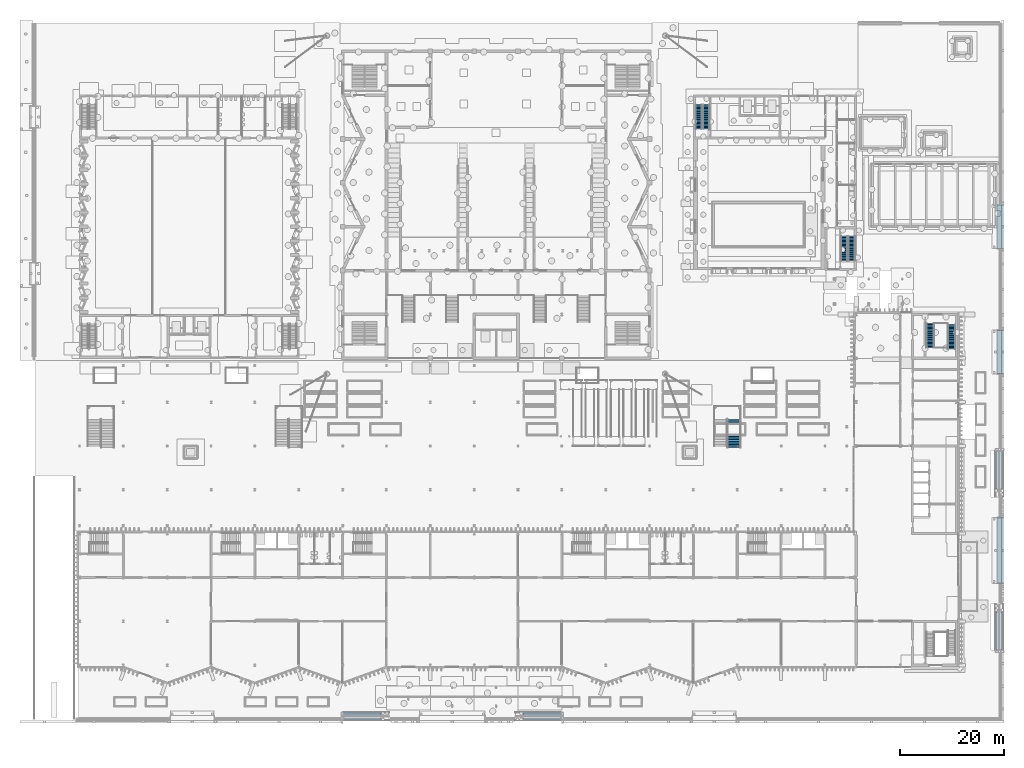
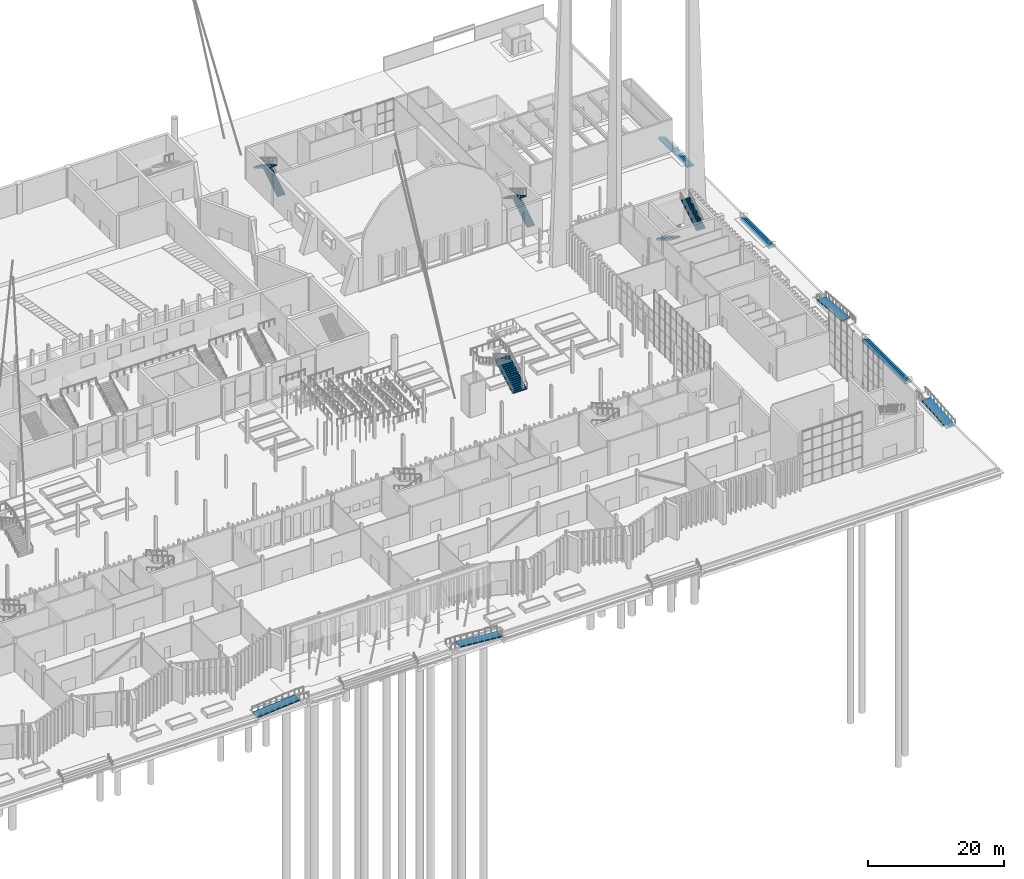
# One storey, part 80 of 108: 10 stair flights, 4 ramp flights, 11 elements without a shape of their own.
"""IFC4 building model written with IfcOpenShell, lengths in metres."""

from ifc_helpers import new_model, si_unit, direction, frame, origin, place, context, subcontext, project, spatial, polyline, outline, extrude, material, layer, layer_set, type_object, element, aggregate, save


model = new_model("IFC4")

# Units and contexts
model_context = context("Model", 3, precision=1e-05, world=origin(), true_north=direction((0.0, 1.0)))
body_context = subcontext(model_context, "Body", "Model", "MODEL_VIEW")
ifc_project = project(units=[si_unit("LENGTHUNIT", "METRE"), si_unit("AREAUNIT", "SQUARE_METRE"), si_unit("VOLUMEUNIT", "CUBIC_METRE"), si_unit("PLANEANGLEUNIT", "RADIAN"), si_unit("MASSUNIT", "GRAM", prefix="KILO")], contexts=[model_context])

# Site, building, storey
site_placement = place(None, origin())
site = spatial("IfcSite", under=ifc_project, at=site_placement, CompositionType="ELEMENT")
building_placement = place(site_placement, origin())
building = spatial("IfcBuilding", under=site, at=building_placement, Name="Cresset Court Congress Hotel", CompositionType="ELEMENT")
storey_placement = place(building_placement, origin())
storey = spatial("IfcBuildingStorey", under=building, at=storey_placement, Name="L00", CompositionType="ELEMENT", Elevation=0.0)

# Stair, stair flights
ifc_material_1 = material(Name="Concrete C40", Category="concrete")
stair_type_1 = type_object("IfcStairType", Name="Concrete dog-leg stair 5600", PredefinedType="HALF_TURN_STAIR", material=ifc_material_1)
stair_1_placement = place(storey_placement, origin())
stair_1 = element("IfcStair", 1, at=stair_1_placement, inside=storey, type_object=stair_type_1, Name="Stair A2 L00", PredefinedType="HALF_TURN_STAIR")
ifc_material_2 = material(Name="Concrete C40", Category="concrete")
stair_flight_type_1 = type_object("IfcStairFlightType", Name="Concrete stair flight", PredefinedType="STRAIGHT", material=ifc_material_2)
stair_flight_1_placement = place(storey_placement, frame((171.35009765625, 65.5, 0.0), z_axis=(0.0, 0.0, 1.0), x_axis=(0.0, -1.0, 0.0)))
stair_flight_1 = element("IfcStairFlight", 2, at=stair_flight_1_placement, type_object=stair_flight_type_1, Name="A-ST1 flight 1", NumberOfRisers=19, NumberOfTreads=18, PredefinedType="STRAIGHT", RiserHeight=0.157894737, TreadLength=0.26, context=body_context, shape_type="SweptSolid", body=[
    extrude(outline(polyline([(0.0, 0.0), (0.0, 0.157958984375), (0.260009765625, 0.157958984375), (0.260009765625, 0.315673828125), (0.52001953125, 0.315673828125), (0.52001953125, 0.4736328125), (0.780029296875, 0.4736328125), (0.780029296875, 0.631591796875), (1.0400390625, 0.631591796875), (1.0400390625, 0.78955078125), (1.300048828125, 0.78955078125), (1.300048828125, 0.947265625), (1.56005859375, 0.947265625), (1.56005859375, 1.105224609375), (1.820068359375, 1.105224609375), (1.820068359375, 1.26318359375), (2.080078125, 1.26318359375), (2.080078125, 1.421142578125), (2.340087890625, 1.421142578125), (2.340087890625, 1.578857421875), (2.60009765625, 1.578857421875), (2.60009765625, 1.73681640625), (2.860107421875, 1.73681640625), (2.860107421875, 1.894775390625), (3.1201171875, 1.894775390625), (3.1201171875, 2.052734375), (3.3798828125, 2.052734375), (3.3798828125, 2.21044921875), (3.639892578125, 2.21044921875), (3.639892578125, 2.368408203125), (3.89990234375, 2.368408203125), (3.89990234375, 2.5263671875), (4.159912109375, 2.5263671875), (4.159912109375, 2.684326171875), (4.419921875, 2.684326171875), (4.419921875, 2.842041015625), (4.679931640625, 2.842041015625), (4.679931640625, 3.0), (4.679931640625, 2.666748046875), (0.288818359375, 0.0), (0.0, 0.0)])), frame((0.0, 0.75, 0.0), z_axis=(0.0, -1.0, 0.0), x_axis=(1.0, 0.0, 0.0)), (0.0, 0.0, 1.0), 1.5),
])
stair_flight_2_placement = place(storey_placement, frame((175.449951171875, 60.56005859375, 3.0), z_axis=(0.0, 0.0, 1.0), x_axis=(0.0, 1.0, 0.0)))
stair_flight_2 = element("IfcStairFlight", 3, at=stair_flight_2_placement, type_object=stair_flight_type_1, Name="A-ST1 flight 2", NumberOfRisers=19, NumberOfTreads=18, PredefinedType="STRAIGHT", RiserHeight=0.157894737, TreadLength=0.26, context=body_context, shape_type="SweptSolid", body=[
    extrude(outline(polyline([(0.0, 0.0), (0.0, 0.157958984375), (0.260009765625, 0.157958984375), (0.260009765625, 0.315673828125), (0.52001953125, 0.315673828125), (0.52001953125, 0.4736328125), (0.780029296875, 0.4736328125), (0.780029296875, 0.631591796875), (1.0400390625, 0.631591796875), (1.0400390625, 0.78955078125), (1.300048828125, 0.78955078125), (1.300048828125, 0.947265625), (1.56005859375, 0.947265625), (1.56005859375, 1.105224609375), (1.820068359375, 1.105224609375), (1.820068359375, 1.26318359375), (2.080078125, 1.26318359375), (2.080078125, 1.421142578125), (2.340087890625, 1.421142578125), (2.340087890625, 1.578857421875), (2.60009765625, 1.578857421875), (2.60009765625, 1.73681640625), (2.860107421875, 1.73681640625), (2.860107421875, 1.894775390625), (3.1201171875, 1.894775390625), (3.1201171875, 2.052734375), (3.3798828125, 2.052734375), (3.3798828125, 2.21044921875), (3.639892578125, 2.21044921875), (3.639892578125, 2.368408203125), (3.89990234375, 2.368408203125), (3.89990234375, 2.5263671875), (4.159912109375, 2.5263671875), (4.159912109375, 2.684326171875), (4.419921875, 2.684326171875), (4.419921875, 2.842041015625), (4.679931640625, 2.842041015625), (4.679931640625, 3.0), (4.679931640625, 2.666748046875), (0.288818359375, 0.0), (0.0, 0.0)])), frame((0.0, 0.75, 0.0), z_axis=(0.0, -1.0, 0.0), x_axis=(1.0, 0.0, 0.0)), (0.0, 0.0, 1.0), 1.5),
])
aggregate(stair_1, [stair_flight_1, stair_flight_2])

# Stair, stair flight
ifc_material_3 = material(Name="Concrete C35", Category="concrete")
stair_type_2 = type_object("IfcStairType", Name="External stair 4 risers", PredefinedType="STRAIGHT_RUN_STAIR", material=ifc_material_3)
stair_2_placement = place(storey_placement, origin())
stair_2 = element("IfcStair", 4, at=stair_2_placement, inside=storey, type_object=stair_type_2, Name="Entrance steps E01", PredefinedType="STRAIGHT_RUN_STAIR")
ifc_material_4 = material(Name="Concrete C35", Category="concrete")
stair_flight_type_2 = type_object("IfcStairFlightType", Name="Entrance step flight on grade", PredefinedType="STRAIGHT", material=ifc_material_4)
stair_flight_3_placement = place(storey_placement, frame((185.35009765625, 22.0, -0.60009765625), z_axis=(0.0, 0.0, 1.0), x_axis=(-1.0, 0.0, 0.0)))
stair_flight_3 = element("IfcStairFlight", 5, at=stair_flight_3_placement, type_object=stair_flight_type_2, Name="S-ST1 flight 1", NumberOfRisers=4, NumberOfTreads=3, PredefinedType="STRAIGHT", RiserHeight=0.15, TreadLength=0.4, context=body_context, shape_type="SweptSolid", body=[
    extrude(outline(polyline([(0.0, 0.0), (0.0, 0.14990234375), (0.39990234375, 0.14990234375), (0.39990234375, 0.300048828125), (0.800048828125, 0.300048828125), (0.800048828125, 0.449951171875), (1.199951171875, 0.449951171875), (1.199951171875, 0.60009765625), (1.199951171875, 0.02294921875), (1.138916015625, 0.0), (0.0, 0.0)])), frame((0.0, 6.300048828125, 0.0), z_axis=(0.0, -1.0, 0.0), x_axis=(1.0, 0.0, 0.0)), (0.0, 0.0, 1.0), 12.60009765625),
])
aggregate(stair_2, [stair_flight_3])

stair_3_placement = place(storey_placement, origin())
stair_3 = element("IfcStair", 6, at=stair_3_placement, inside=storey, type_object=stair_type_2, Name="Entrance steps E02", PredefinedType="STRAIGHT_RUN_STAIR")
stair_flight_4_placement = place(storey_placement, frame((185.35009765625, 60.0, -0.60009765625), z_axis=(0.0, 0.0, 1.0), x_axis=(-1.0, 0.0, 0.0)))
stair_flight_4 = element("IfcStairFlight", 7, at=stair_flight_4_placement, type_object=stair_flight_type_2, Name="S-ST1 flight 1", NumberOfRisers=4, NumberOfTreads=3, PredefinedType="STRAIGHT", RiserHeight=0.15, TreadLength=0.4, context=body_context, shape_type="SweptSolid", body=[
    extrude(outline(polyline([(0.0, 0.0), (0.0, 0.14990234375), (0.39990234375, 0.14990234375), (0.39990234375, 0.300048828125), (0.800048828125, 0.300048828125), (0.800048828125, 0.449951171875), (1.199951171875, 0.449951171875), (1.199951171875, 0.60009765625), (1.199951171875, 0.02294921875), (1.138916015625, 0.0), (0.0, 0.0)])), frame((0.0, 4.199951171875, 0.0), z_axis=(0.0, -1.0, 0.0), x_axis=(1.0, 0.0, 0.0)), (0.0, 0.0, 1.0), 8.39990234375),
])
aggregate(stair_3, [stair_flight_4])

stair_4_placement = place(storey_placement, origin())
stair_4 = element("IfcStair", 8, at=stair_4_placement, inside=storey, type_object=stair_type_2, Name="Entrance steps E03", PredefinedType="STRAIGHT_RUN_STAIR")
stair_flight_5_placement = place(storey_placement, frame((185.35009765625, 84.0, -0.60009765625), z_axis=(0.0, 0.0, 1.0), x_axis=(-1.0, 0.0, 0.0)))
stair_flight_5 = element("IfcStairFlight", 9, at=stair_flight_5_placement, type_object=stair_flight_type_2, Name="S-ST1 flight 1", NumberOfRisers=4, NumberOfTreads=3, PredefinedType="STRAIGHT", RiserHeight=0.15, TreadLength=0.4, context=body_context, shape_type="SweptSolid", body=[
    extrude(outline(polyline([(0.0, 0.0), (0.0, 0.14990234375), (0.39990234375, 0.14990234375), (0.39990234375, 0.300048828125), (0.800048828125, 0.300048828125), (0.800048828125, 0.449951171875), (1.199951171875, 0.449951171875), (1.199951171875, 0.60009765625), (1.199951171875, 0.02294921875), (1.138916015625, 0.0), (0.0, 0.0)])), frame((0.0, 4.199951171875, 0.0), z_axis=(0.0, -1.0, 0.0), x_axis=(1.0, 0.0, 0.0)), (0.0, 0.0, 1.0), 8.39990234375),
])
aggregate(stair_4, [stair_flight_5])

# Stair, stair flights
ifc_material_5 = material(Name="Half-turn stair 1300")
stair_type_3 = type_object("IfcStairType", Name="Half-turn stair 1300", PredefinedType="HALF_TURN_STAIR", material=ifc_material_5)
stair_5_placement = place(storey_placement, origin())
stair_5 = element("IfcStair", 10, at=stair_5_placement, inside=storey, type_object=stair_type_3, Name="L00 stair", PredefinedType="HALF_TURN_STAIR")
ifc_material_6 = material(Name="Stair flight 1300")
stair_flight_type_3 = type_object("IfcStairFlightType", Name="Stair flight 1300", PredefinedType="STRAIGHT", material=ifc_material_6)
stair_flight_6_placement = place(storey_placement, frame((128.5, 102.699951171875, 0.0), z_axis=(0.0, 0.0, 1.0), x_axis=(0.0, 1.0, 0.0)))
stair_flight_6 = element("IfcStairFlight", 11, at=stair_flight_6_placement, type_object=stair_flight_type_3, Name="ST-E1 flight 1", NumberOfRisers=19, NumberOfTreads=18, PredefinedType="STRAIGHT", RiserHeight=0.157894737, TreadLength=0.26, context=body_context, shape_type="SweptSolid", body=[
    extrude(outline(polyline([(0.0, 0.0), (0.0, 0.157958984375), (0.260009765625, 0.157958984375), (0.260009765625, 0.315673828125), (0.52001953125, 0.315673828125), (0.52001953125, 0.4736328125), (0.780029296875, 0.4736328125), (0.780029296875, 0.631591796875), (1.0400390625, 0.631591796875), (1.0400390625, 0.78955078125), (1.300048828125, 0.78955078125), (1.300048828125, 0.947265625), (1.56005859375, 0.947265625), (1.56005859375, 1.105224609375), (1.820068359375, 1.105224609375), (1.820068359375, 1.26318359375), (2.080078125, 1.26318359375), (2.080078125, 1.421142578125), (2.340087890625, 1.421142578125), (2.340087890625, 1.578857421875), (2.60009765625, 1.578857421875), (2.60009765625, 1.73681640625), (2.860107421875, 1.73681640625), (2.860107421875, 1.894775390625), (3.1201171875, 1.894775390625), (3.1201171875, 2.052734375), (3.3798828125, 2.052734375), (3.3798828125, 2.21044921875), (3.639892578125, 2.21044921875), (3.639892578125, 2.368408203125), (3.89990234375, 2.368408203125), (3.89990234375, 2.5263671875), (4.159912109375, 2.5263671875), (4.159912109375, 2.684326171875), (4.419921875, 2.684326171875), (4.419921875, 2.842041015625), (4.679931640625, 2.842041015625), (4.679931640625, 3.0), (4.679931640625, 2.666748046875), (0.288818359375, 0.0), (0.0, 0.0)])), frame((0.0, 0.64990234375, 0.0), z_axis=(0.0, -1.0, 0.0), x_axis=(1.0, 0.0, 0.0)), (0.0, 0.0, 1.0), 1.300048828125),
])
stair_flight_7_placement = place(storey_placement, frame((127.050048828125, 107.3798828125, 3.0), z_axis=(0.0, 0.0, 1.0), x_axis=(0.0, -1.0, 0.0)))
stair_flight_7 = element("IfcStairFlight", 12, at=stair_flight_7_placement, type_object=stair_flight_type_3, Name="ST-E1 flight 2", NumberOfRisers=19, NumberOfTreads=18, PredefinedType="STRAIGHT", RiserHeight=0.157894737, TreadLength=0.26, context=body_context, shape_type="SweptSolid", body=[
    extrude(outline(polyline([(0.0, 0.0), (0.0, 0.157958984375), (0.260009765625, 0.157958984375), (0.260009765625, 0.315673828125), (0.52001953125, 0.315673828125), (0.52001953125, 0.4736328125), (0.780029296875, 0.4736328125), (0.780029296875, 0.631591796875), (1.0400390625, 0.631591796875), (1.0400390625, 0.78955078125), (1.300048828125, 0.78955078125), (1.300048828125, 0.947265625), (1.56005859375, 0.947265625), (1.56005859375, 1.105224609375), (1.820068359375, 1.105224609375), (1.820068359375, 1.26318359375), (2.080078125, 1.26318359375), (2.080078125, 1.421142578125), (2.340087890625, 1.421142578125), (2.340087890625, 1.578857421875), (2.60009765625, 1.578857421875), (2.60009765625, 1.73681640625), (2.860107421875, 1.73681640625), (2.860107421875, 1.894775390625), (3.1201171875, 1.894775390625), (3.1201171875, 2.052734375), (3.3798828125, 2.052734375), (3.3798828125, 2.21044921875), (3.639892578125, 2.21044921875), (3.639892578125, 2.368408203125), (3.89990234375, 2.368408203125), (3.89990234375, 2.5263671875), (4.159912109375, 2.5263671875), (4.159912109375, 2.684326171875), (4.419921875, 2.684326171875), (4.419921875, 2.842041015625), (4.679931640625, 2.842041015625), (4.679931640625, 3.0), (4.679931640625, 2.666748046875), (0.288818359375, 0.0), (0.0, 0.0)])), frame((0.0, 0.64990234375, 0.0), z_axis=(0.0, -1.0, 0.0), x_axis=(1.0, 0.0, 0.0)), (0.0, 0.0, 1.0), 1.300048828125),
])
aggregate(stair_5, [stair_flight_6, stair_flight_7])

stair_6_placement = place(storey_placement, origin())
stair_6 = element("IfcStair", 13, at=stair_6_placement, inside=storey, type_object=stair_type_3, Name="L00 stair", PredefinedType="HALF_TURN_STAIR")
stair_flight_8_placement = place(storey_placement, frame((156.35009765625, 77.5, 0.0), z_axis=(0.0, 0.0, 1.0), x_axis=(0.0, 1.0, 0.0)))
stair_flight_8 = element("IfcStairFlight", 14, at=stair_flight_8_placement, type_object=stair_flight_type_3, Name="ST-E2 flight 1", NumberOfRisers=19, NumberOfTreads=18, PredefinedType="STRAIGHT", RiserHeight=0.157894737, TreadLength=0.26, context=body_context, shape_type="SweptSolid", body=[
    extrude(outline(polyline([(0.0, 0.0), (0.0, 0.157958984375), (0.260009765625, 0.157958984375), (0.260009765625, 0.315673828125), (0.52001953125, 0.315673828125), (0.52001953125, 0.4736328125), (0.780029296875, 0.4736328125), (0.780029296875, 0.631591796875), (1.0400390625, 0.631591796875), (1.0400390625, 0.78955078125), (1.300048828125, 0.78955078125), (1.300048828125, 0.947265625), (1.56005859375, 0.947265625), (1.56005859375, 1.105224609375), (1.820068359375, 1.105224609375), (1.820068359375, 1.26318359375), (2.080078125, 1.26318359375), (2.080078125, 1.421142578125), (2.340087890625, 1.421142578125), (2.340087890625, 1.578857421875), (2.60009765625, 1.578857421875), (2.60009765625, 1.73681640625), (2.860107421875, 1.73681640625), (2.860107421875, 1.894775390625), (3.1201171875, 1.894775390625), (3.1201171875, 2.052734375), (3.3798828125, 2.052734375), (3.3798828125, 2.21044921875), (3.639892578125, 2.21044921875), (3.639892578125, 2.368408203125), (3.89990234375, 2.368408203125), (3.89990234375, 2.5263671875), (4.159912109375, 2.5263671875), (4.159912109375, 2.684326171875), (4.419921875, 2.684326171875), (4.419921875, 2.842041015625), (4.679931640625, 2.842041015625), (4.679931640625, 3.0), (4.679931640625, 2.666748046875), (0.288818359375, 0.0), (0.0, 0.0)])), frame((0.0, 0.64990234375, 0.0), z_axis=(0.0, -1.0, 0.0), x_axis=(1.0, 0.0, 0.0)), (0.0, 0.0, 1.0), 1.300048828125),
])
stair_flight_9_placement = place(storey_placement, frame((154.89990234375, 82.179931640625, 3.0), z_axis=(0.0, 0.0, 1.0), x_axis=(0.0, -1.0, 0.0)))
stair_flight_9 = element("IfcStairFlight", 15, at=stair_flight_9_placement, type_object=stair_flight_type_3, Name="ST-E2 flight 2", NumberOfRisers=19, NumberOfTreads=18, PredefinedType="STRAIGHT", RiserHeight=0.157894737, TreadLength=0.26, context=body_context, shape_type="SweptSolid", body=[
    extrude(outline(polyline([(0.0, 0.0), (0.0, 0.157958984375), (0.260009765625, 0.157958984375), (0.260009765625, 0.315673828125), (0.52001953125, 0.315673828125), (0.52001953125, 0.4736328125), (0.780029296875, 0.4736328125), (0.780029296875, 0.631591796875), (1.0400390625, 0.631591796875), (1.0400390625, 0.78955078125), (1.300048828125, 0.78955078125), (1.300048828125, 0.947265625), (1.56005859375, 0.947265625), (1.56005859375, 1.105224609375), (1.820068359375, 1.105224609375), (1.820068359375, 1.26318359375), (2.080078125, 1.26318359375), (2.080078125, 1.421142578125), (2.340087890625, 1.421142578125), (2.340087890625, 1.578857421875), (2.60009765625, 1.578857421875), (2.60009765625, 1.73681640625), (2.860107421875, 1.73681640625), (2.860107421875, 1.894775390625), (3.1201171875, 1.894775390625), (3.1201171875, 2.052734375), (3.3798828125, 2.052734375), (3.3798828125, 2.21044921875), (3.639892578125, 2.21044921875), (3.639892578125, 2.368408203125), (3.89990234375, 2.368408203125), (3.89990234375, 2.5263671875), (4.159912109375, 2.5263671875), (4.159912109375, 2.684326171875), (4.419921875, 2.684326171875), (4.419921875, 2.842041015625), (4.679931640625, 2.842041015625), (4.679931640625, 3.0), (4.679931640625, 2.666748046875), (0.288818359375, 0.0), (0.0, 0.0)])), frame((0.0, 0.64990234375, 0.0), z_axis=(0.0, -1.0, 0.0), x_axis=(1.0, 0.0, 0.0)), (0.0, 0.0, 1.0), 1.300048828125),
])
aggregate(stair_6, [stair_flight_8, stair_flight_9])

# Stair, stair flight
ifc_material_7 = material(Name="Concrete C35", Category="concrete")
stair_type_4 = type_object("IfcStairType", Name="Deck stair", PredefinedType="HALF_TURN_STAIR", material=ifc_material_7)
stair_7_placement = place(storey_placement, origin())
stair_7 = element("IfcStair", 16, at=stair_7_placement, inside=storey, type_object=stair_type_4, Name="Deck stair D03", PredefinedType="HALF_TURN_STAIR")
ifc_material_8 = material(Name="Concrete C35", Category="concrete")
stair_flight_type_4 = type_object("IfcStairFlightType", Name="Stair flight 150 waist", PredefinedType="STRAIGHT", material=ifc_material_8)
stair_flight_10_placement = place(storey_placement, frame((133.800048828125, 41.699951171875, 0.0), z_axis=(0.0, 0.0, 1.0), x_axis=(0.0, 1.0, 0.0)))
stair_flight_10 = element("IfcStairFlight", 17, at=stair_flight_10_placement, type_object=stair_flight_type_4, Name="S-ST2 flight 2", NumberOfRisers=19, NumberOfTreads=18, PredefinedType="STRAIGHT", RiserHeight=0.162162162, TreadLength=0.3, context=body_context, shape_type="SweptSolid", body=[
    extrude(outline(polyline([(0.0, 0.0), (0.0, 0.162109375), (0.300048828125, 0.162109375), (0.300048828125, 0.32421875), (0.60009765625, 0.32421875), (0.60009765625, 0.486572265625), (0.89990234375, 0.486572265625), (0.89990234375, 0.648681640625), (1.199951171875, 0.648681640625), (1.199951171875, 0.810791015625), (1.5, 0.810791015625), (1.5, 0.972900390625), (1.800048828125, 0.972900390625), (1.800048828125, 1.13525390625), (2.10009765625, 1.13525390625), (2.10009765625, 1.29736328125), (2.39990234375, 1.29736328125), (2.39990234375, 1.45947265625), (2.699951171875, 1.45947265625), (2.699951171875, 1.62158203125), (3.0, 1.62158203125), (3.0, 1.78369140625), (3.300048828125, 1.78369140625), (3.300048828125, 1.946044921875), (3.60009765625, 1.946044921875), (3.60009765625, 2.108154296875), (3.89990234375, 2.108154296875), (3.89990234375, 2.270263671875), (4.199951171875, 2.270263671875), (4.199951171875, 2.432373046875), (4.5, 2.432373046875), (4.5, 2.594482421875), (4.800048828125, 2.594482421875), (4.800048828125, 2.7568359375), (5.10009765625, 2.7568359375), (5.10009765625, 2.9189453125), (5.39990234375, 2.9189453125), (5.39990234375, 3.0810546875), (5.39990234375, 2.74853515625), (0.315185546875, 0.0), (0.0, 0.0)])), frame((0.0, 1.199951171875, 0.0), z_axis=(0.0, -1.0, 0.0), x_axis=(1.0, 0.0, 0.0)), (0.0, 0.0, 1.0), 2.39990234375),
])
aggregate(stair_7, [stair_flight_10])

# Ramp, ramp flight
ifc_material_9 = material(Name="Concrete C35", Category="concrete")
ramp_type = type_object("IfcRampType", Name="Ramp 1:12", PredefinedType="STRAIGHT_RUN_RAMP", material=ifc_material_9)
ramp_1_placement = place(storey_placement, origin())
ramp_1 = element("IfcRamp", 18, at=ramp_1_placement, inside=storey, type_object=ramp_type, Name="Entrance ramp S01", PredefinedType="STRAIGHT_RUN_RAMP")
ifc_material_10 = material(Name="Concrete C35", Category="concrete")
ifc_layer = layer(ifc_material_10, 0.199951171875)
ifc_layer_set = layer_set([ifc_layer], Name="Ramp flight 1:12")
ramp_flight_type = type_object("IfcRampFlightType", Name="Ramp flight 1:12", PredefinedType="STRAIGHT", material=ifc_layer_set)
ramp_flight_1_placement = place(storey_placement, frame((59.0, -9.050048828125, -0.60009765625), z_axis=(-0.083059462528, 0.0, 0.996544592923), x_axis=(0.0, -1.0, 0.0)))
ramp_flight_1 = element("IfcRampFlight", 19, at=ramp_flight_1_placement, type_object=ramp_flight_type, Name="S.ramp.L00.S01.F1", PredefinedType="STRAIGHT", context=body_context, shape_type="SweptSolid", body=[
    extrude(outline(polyline([(0.0, 0.0), (0.75, 0.0), (1.5, 0.0), (1.5, 3.61257974772781), (1.5, 7.224916198435864), (0.75, 7.224916198435864), (0.0, 7.224916198435864), (0.0, 3.61257974772781), (0.0, 0.0)])), origin(), (0.0, 0.0, -1.0), 0.199951171875),
])
aggregate(ramp_1, [ramp_flight_1])

ramp_2_placement = place(storey_placement, origin())
ramp_2 = element("IfcRamp", 20, at=ramp_2_placement, inside=storey, type_object=ramp_type, Name="Entrance ramp S02", PredefinedType="STRAIGHT_RUN_RAMP")
ramp_flight_2_placement = place(storey_placement, frame((100.60009765625, -10.550048828125, -0.60009765625), z_axis=(0.083056665618, 0.0, 0.996544826035), x_axis=(0.0, 1.0, 0.0)))
ramp_flight_2 = element("IfcRampFlight", 21, at=ramp_flight_2_placement, type_object=ramp_flight_type, Name="S.ramp.L00.S02.F1", PredefinedType="STRAIGHT", context=body_context, shape_type="SweptSolid", body=[
    extrude(outline(polyline([(0.0, 0.0), (0.75, 0.0), (1.5, 0.0), (1.5, 3.612579747742038), (1.5, 7.225159495484076), (0.75, 7.225159495484076), (0.0, 7.225159495484076), (0.0, 3.612579747742038), (0.0, 0.0)])), origin(), (0.0, 0.0, -1.0), 0.199951171875),
])
aggregate(ramp_2, [ramp_flight_2])

ramp_3_placement = place(storey_placement, origin())
ramp_3 = element("IfcRamp", 22, at=ramp_3_placement, inside=storey, type_object=ramp_type, Name="Entrance ramp E01", PredefinedType="STRAIGHT_RUN_RAMP")
ramp_flight_3_placement = place(storey_placement, frame((183.85009765625, 3.0, -0.60009765625), z_axis=(0.0, -0.083059462528, 0.996544592923), x_axis=(1.0, 0.0, 0.0)))
ramp_flight_3 = element("IfcRampFlight", 23, at=ramp_flight_3_placement, type_object=ramp_flight_type, Name="S.ramp.L00.E01.F1", PredefinedType="STRAIGHT", context=body_context, shape_type="SweptSolid", body=[
    extrude(outline(polyline([(0.0, 0.0), (0.75, 0.0), (1.5, 0.0), (1.5, 3.61257974772781), (1.5, 7.224916198435864), (0.75, 7.224916198435864), (0.0, 7.224916198435864), (0.0, 3.61257974772781), (0.0, 0.0)])), origin(), (0.0, 0.0, -1.0), 0.199951171875),
])
aggregate(ramp_3, [ramp_flight_3])

ramp_4_placement = place(storey_placement, origin())
ramp_4 = element("IfcRamp", 24, at=ramp_4_placement, inside=storey, type_object=ramp_type, Name="Entrance ramp E02", PredefinedType="STRAIGHT_RUN_RAMP")
ramp_flight_4_placement = place(storey_placement, frame((185.35009765625, 41.0, -0.60009765625), z_axis=(0.0, 0.083059462528, 0.996544592923), x_axis=(-1.0, 0.0, 0.0)))
ramp_flight_4 = element("IfcRampFlight", 25, at=ramp_flight_4_placement, type_object=ramp_flight_type, Name="S.ramp.L00.E02.F1", PredefinedType="STRAIGHT", context=body_context, shape_type="SweptSolid", body=[
    extrude(outline(polyline([(0.0, 0.0), (0.75, 0.0), (1.5, 0.0), (1.5, 3.61257974772781), (1.5, 7.224916198435864), (0.75, 7.224916198435864), (0.0, 7.224916198435864), (0.0, 3.61257974772781), (0.0, 0.0)])), origin(), (0.0, 0.0, -1.0), 0.199951171875),
])
aggregate(ramp_4, [ramp_flight_4])

save(model, "model.ifc")
